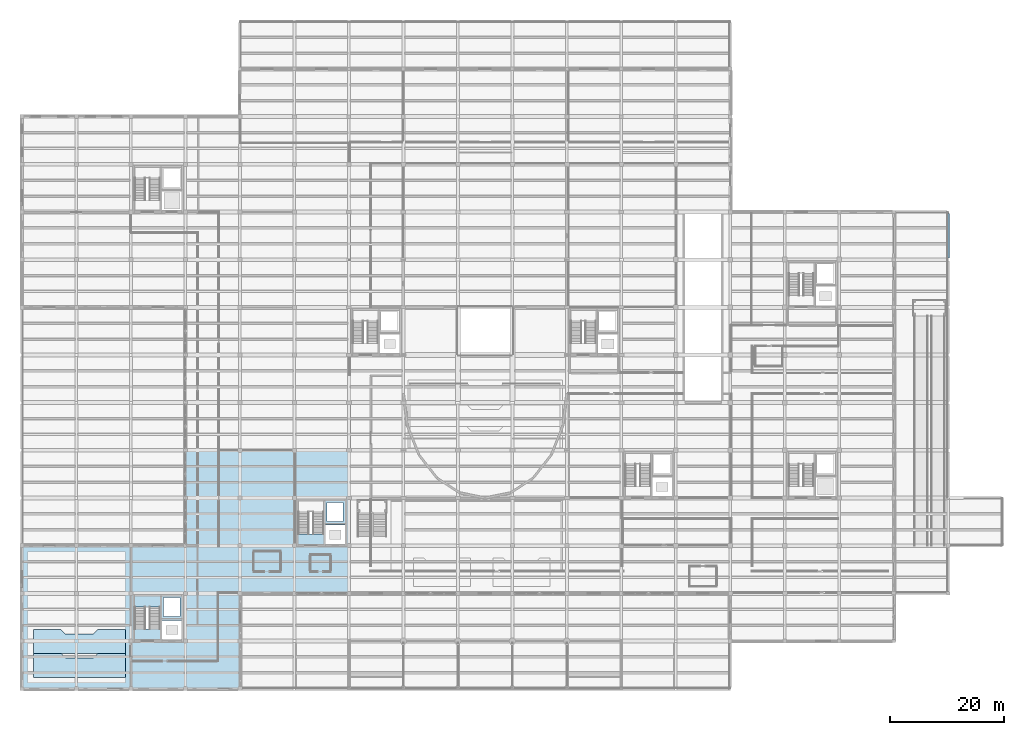
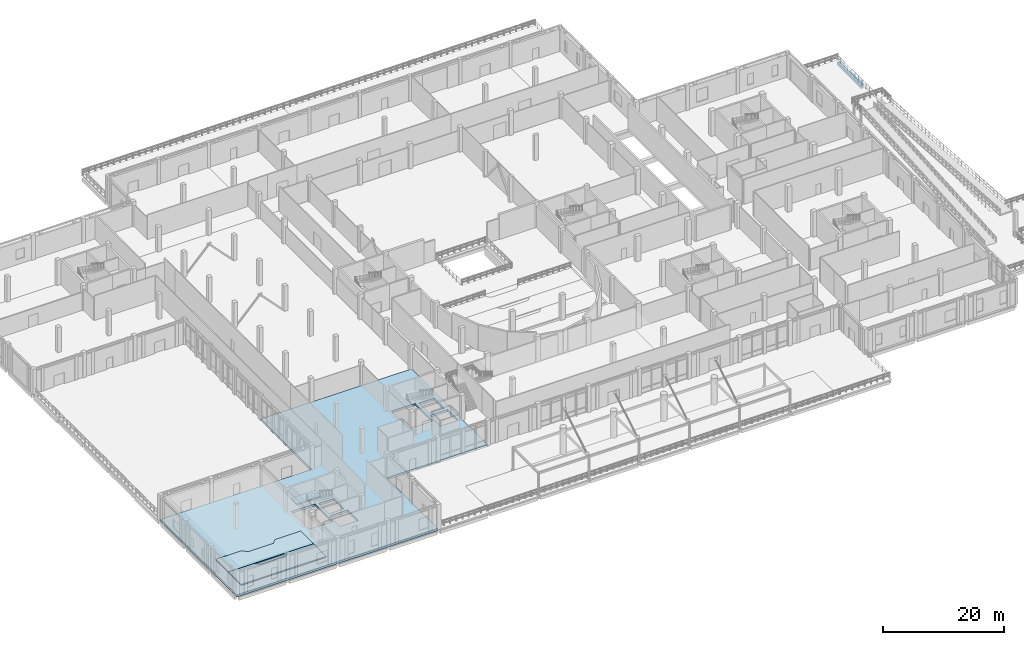
# One storey, part 39 of 71: 4 slabs, 1 beam, 1 element without a shape of its own.
"""IFC4 building model written with IfcOpenShell, lengths in metres."""

from ifc_helpers import new_model, si_unit, direction, frame, origin, origin_2d, place, context, subcontext, project, spatial, polyline, rectangle, outline, extrude, material, layer, layer_set, material_profile, profile_set, type_object, element, aggregate, save


model = new_model("IFC4")

# Units and contexts
model_context = context("Model", 3, precision=1e-05, world=origin(), true_north=direction((0.0, 1.0)))
body_context = subcontext(model_context, "Body", "Model", "MODEL_VIEW")
ifc_project = project(units=[si_unit("LENGTHUNIT", "METRE"), si_unit("AREAUNIT", "SQUARE_METRE"), si_unit("VOLUMEUNIT", "CUBIC_METRE"), si_unit("PLANEANGLEUNIT", "RADIAN"), si_unit("MASSUNIT", "GRAM", prefix="KILO")], contexts=[model_context])

# Site, building, storey
site_placement = place(None, origin())
site = spatial("IfcSite", under=ifc_project, at=site_placement, CompositionType="ELEMENT")
building_placement = place(site_placement, origin())
building = spatial("IfcBuilding", under=site, at=building_placement, Name="Lornevale Opera House", CompositionType="ELEMENT")
storey_placement = place(building_placement, origin())
storey = spatial("IfcBuildingStorey", under=building, at=storey_placement, Name="L01", CompositionType="ELEMENT", Elevation=0.0)

# Beam
ifc_material_1 = material(Name="Concrete 35 MPa (CSA A23.1 N)", Category="concrete")
ifc_material_profile = material_profile(ifc_material_1, rectangle(XDim=0.449951171875, YDim=0.64990234375, at=origin_2d()), Name="RC450x650")
ifc_profile_set = profile_set([ifc_material_profile], Name="Concrete 35 MPa (CSA A23.1 N)")
beam_type = type_object("IfcBeamType", Name="Concrete Spandrel Beam 450x650", PredefinedType="SPANDREL", material=ifc_profile_set)
beam_placement = place(storey_placement, frame((163.199951171875, 75.85009765625, -0.574951171875), z_axis=(0.0, 1.0, 0.0), x_axis=(-1.0, 0.0, 0.0)))
element("IfcBeam", 1, at=beam_placement, inside=storey, type_object=beam_type, Name="Concrete Spandrel Beam 450x650 1289", PredefinedType="SPANDREL", context=body_context, shape_type="SweptSolid", body=[
    extrude(rectangle(XDim=0.449951171875, YDim=0.64990234375, at=origin_2d()), origin(), (0.0, 0.0, 1.0), 7.9248046875),
])

# Slabs
ifc_material_2 = material(Name="Concrete 40 MPa (CSA A23.1 C-1)", Category="concrete")
ifc_layer_1 = layer(ifc_material_2, 0.43994140625)
ifc_layer_set_1 = layer_set([ifc_layer_1], Name="Concrete 40 MPa (CSA A23.1 C-1)")
slab_type_1 = type_object("IfcSlabType", Name="Plaza Transfer Ground Slab 440", PredefinedType="FLOOR", material=ifc_layer_set_1)
slab_1_placement = place(storey_placement, frame((0.0, 0.0, -0.43994140625)))
element("IfcSlab", 2, at=slab_1_placement, inside=storey, type_object=slab_type_1, Name="Plaza Transfer Ground Slab 440 SL-020", PredefinedType="FLOOR", context=body_context, shape_type="SweptSolid", body=[
    extrude(outline(polyline([(0.0, 25.199951171875), (9.60009765625, 25.199951171875), (19.199951171875, 25.199951171875), (28.800048828125, 25.199951171875), (28.800048828125, 33.60009765625), (28.800048828125, 42.0), (38.39990234375, 42.0), (48.0, 42.0), (57.60009765625, 42.0), (57.60009765625, 33.60009765625), (57.60009765625, 25.199951171875), (57.60009765625, 16.800048828125), (48.0, 16.800048828125), (38.39990234375, 16.800048828125), (38.39990234375, 8.39990234375), (38.39990234375, 0.0), (28.800048828125, 0.0), (19.199951171875, 0.0), (9.60009765625, 0.0), (0.0, 0.0), (0.0, 8.39990234375), (0.0, 16.800048828125), (0.0, 25.199951171875)]), holes=[polyline([(53.4599609375, 25.3798828125), (56.919921875, 25.3798828125), (56.919921875, 28.840087890625), (53.4599609375, 28.840087890625), (53.4599609375, 25.3798828125)]), polyline([(48.659912109375, 27.280029296875), (53.139892578125, 27.280029296875), (53.139892578125, 33.080078125), (48.659912109375, 33.080078125), (48.659912109375, 27.280029296875)]), polyline([(24.659912109375, 8.580078125), (28.1201171875, 8.580078125), (28.1201171875, 12.0400390625), (24.659912109375, 12.0400390625), (24.659912109375, 8.580078125)]), polyline([(19.860107421875, 10.47998046875), (24.340087890625, 10.47998046875), (24.340087890625, 16.280029296875), (19.860107421875, 16.280029296875), (19.860107421875, 10.47998046875)]), polyline([(53.699951171875, 29.5), (56.60009765625, 29.5), (56.60009765625, 32.840087890625), (53.699951171875, 32.840087890625), (53.699951171875, 29.5)]), polyline([(24.89990234375, 12.699951171875), (27.800048828125, 12.699951171875), (27.800048828125, 16.0400390625), (24.89990234375, 16.0400390625), (24.89990234375, 12.699951171875)])]), origin(), (0.0, 0.0, 1.0), 0.43994140625),
])
ifc_layer_2 = layer(ifc_material_1, 0.2099609375)
ifc_layer_set_2 = layer_set([ifc_layer_2], Name="Concrete 35 MPa (CSA A23.1 N)")
slab_type_2 = type_object("IfcSlabType", Name="Raked Seating Tier Platform 210", PredefinedType="USERDEFINED", material=ifc_layer_set_2)
slab_2_placement = place(storey_placement, frame((0.0, 0.0, -0.010009765625)))
element("IfcSlab", 3, at=slab_2_placement, inside=storey, type_object=slab_type_2, Name="Raked Seating Tier Platform 210 SL-095", ObjectType="SEATING TIER", PredefinedType="USERDEFINED", context=body_context, shape_type="SweptSolid", body=[
    extrude(outline(polyline([(2.0, 2.0), (18.199951171875, 2.0), (18.199951171875, 6.199951171875), (13.300048828125, 6.199951171875), (12.5, 5.39990234375), (7.699951171875, 5.39990234375), (6.89990234375, 6.199951171875), (2.0, 6.199951171875), (2.0, 2.0)])), origin(), (0.0, 0.0, 1.0), 0.219970703125),
])
slab_3_placement = place(storey_placement, frame((0.0, 0.0, -0.010009765625)))
element("IfcSlab", 4, at=slab_3_placement, inside=storey, type_object=slab_type_2, Name="Raked Seating Tier Platform 210 SL-096", ObjectType="SEATING TIER", PredefinedType="USERDEFINED", context=body_context, shape_type="SweptSolid", body=[
    extrude(outline(polyline([(2.0, 6.199951171875), (18.199951171875, 6.199951171875), (18.199951171875, 10.39990234375), (13.300048828125, 10.39990234375), (12.5, 9.60009765625), (7.699951171875, 9.60009765625), (6.89990234375, 10.39990234375), (2.0, 10.39990234375), (2.0, 6.199951171875)])), origin(), (0.0, 0.0, 1.0), 0.219970703125),
])

# Stair, slab
ifc_layer_3 = layer(ifc_material_1, 5.39990234375)
ifc_layer_set_3 = layer_set([ifc_layer_3], Name="Concrete 35 MPa (CSA A23.1 N)")
stair_type = type_object("IfcStairType", Name="Protected Exit Stair 5400-W1840", PredefinedType="TWO_STRAIGHT_RUN_STAIR", material=ifc_layer_set_3)
stair_placement = place(storey_placement, origin())
stair = element("IfcStair", 5, at=stair_placement, inside=storey, type_object=stair_type, Name="Chamber Pavilion Core Stair ST-10 (L01-L02)", PredefinedType="TWO_STRAIGHT_RUN_STAIR")
ifc_layer_4 = layer(ifc_material_1, 0.219970703125)
ifc_layer_set_4 = layer_set([ifc_layer_4], Name="Concrete 35 MPa (CSA A23.1 N)")
slab_type_3 = type_object("IfcSlabType", Name="Stair Half-Landing Slab 220", PredefinedType="LANDING", material=ifc_layer_set_4)
slab_4_placement = place(storey_placement, frame((0.0, 0.0, 2.47998046875)))
slab_4 = element("IfcSlab", 6, at=slab_4_placement, type_object=slab_type_3, Name="ST-10 Half-Landing SL-LND-010", PredefinedType="LANDING", context=body_context, shape_type="SweptSolid", body=[
    extrude(outline(polyline([(19.800048828125, 14.360107421875), (24.39990234375, 14.360107421875), (24.39990234375, 16.3798828125), (19.800048828125, 16.3798828125), (19.800048828125, 14.360107421875)])), origin(), (0.0, 0.0, 1.0), 0.219970703125),
])
aggregate(stair, [slab_4])

save(model, "model.ifc")
